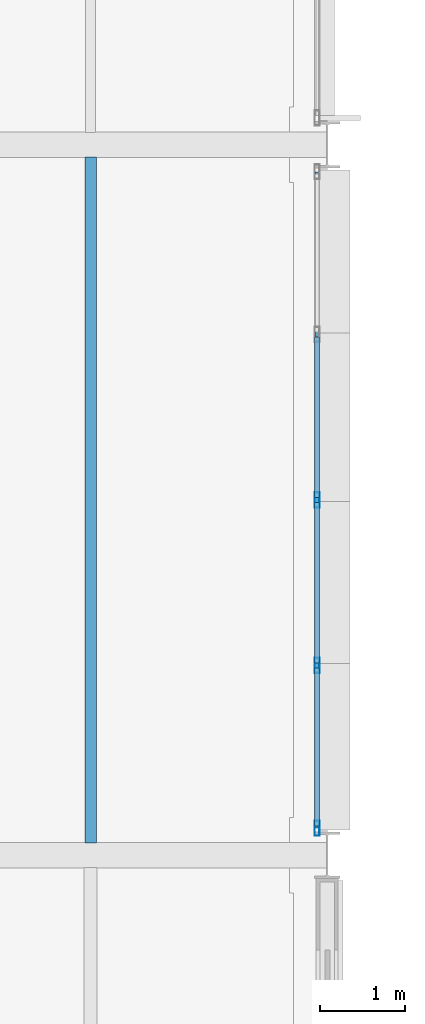
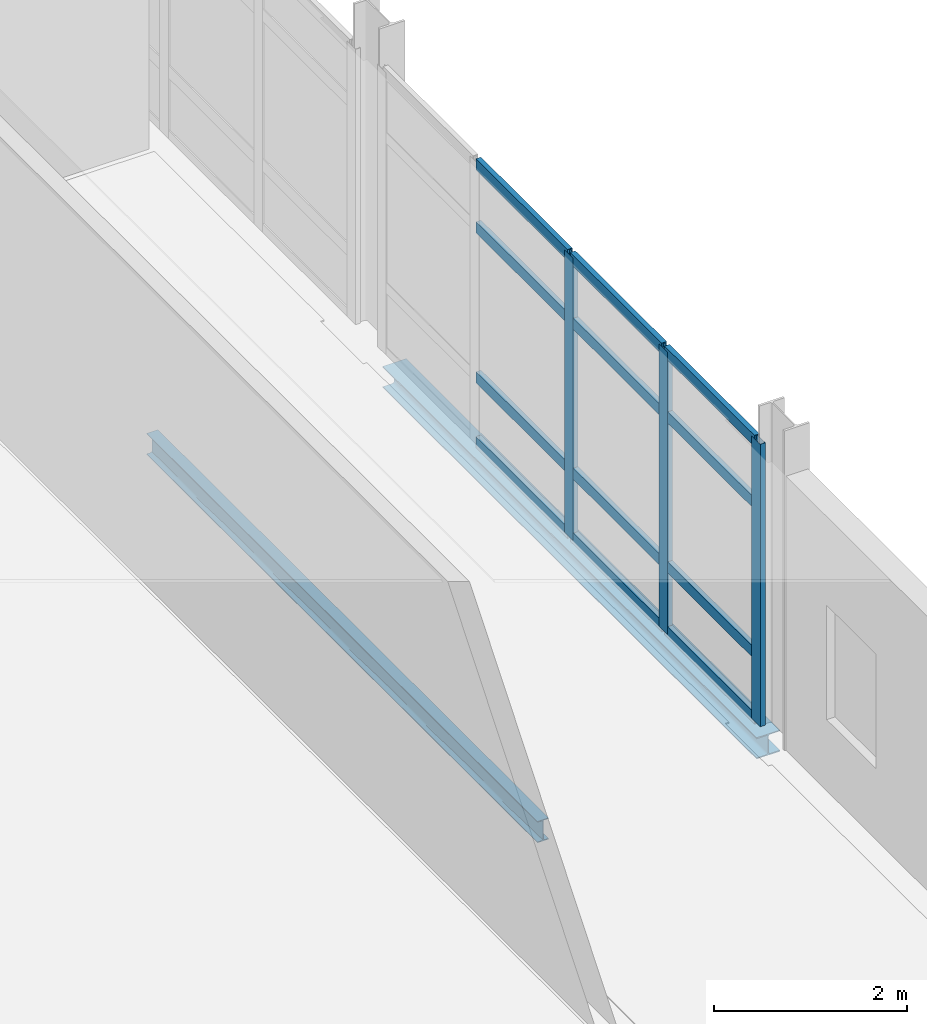
# One storey, part 30 of 151: 15 members, 2 beams, 1 element without a shape of its own.
"""IFC4 building model written with IfcOpenShell, lengths in metres."""

from ifc_helpers import new_model, si_unit, direction, frame, origin, origin_2d, place, context, subcontext, project, spatial, hollow_rectangle, i_section, extrude, material, material_profile, profile_set, type_object, element, aggregate, save


model = new_model("IFC4")

# Units and contexts
model_context = context("Model", 3, precision=1e-05, world=origin(), true_north=direction((0.0, 1.0)))
body_context = subcontext(model_context, "Body", "Model", "MODEL_VIEW")
ifc_project = project(units=[si_unit("LENGTHUNIT", "METRE"), si_unit("AREAUNIT", "SQUARE_METRE"), si_unit("VOLUMEUNIT", "CUBIC_METRE"), si_unit("PLANEANGLEUNIT", "RADIAN"), si_unit("MASSUNIT", "GRAM", prefix="KILO")], contexts=[model_context])

# Site, building, storey
site_placement = place(None, origin())
site = spatial("IfcSite", under=ifc_project, at=site_placement, CompositionType="ELEMENT")
building_placement = place(site_placement, origin())
building = spatial("IfcBuilding", under=site, at=building_placement, Name="Mersafa Astral City Hall", CompositionType="ELEMENT")
storey_placement = place(building_placement, frame((0.0, 0.0, 9.89990234375)))
storey = spatial("IfcBuildingStorey", under=building, at=storey_placement, Name="L02", CompositionType="ELEMENT", Elevation=9.89990234375)

# Curtain wall, members
ifc_material_1 = material(Name="Anodised bronze aluminium framing", Category="aluminium")
curtain_wall_type = type_object("IfcCurtainWallType", Name="ENV-CW-4", PredefinedType="USERDEFINED", material=ifc_material_1)
curtain_wall_placement = place(storey_placement, origin())
curtain_wall = element("IfcCurtainWall", 1, at=curtain_wall_placement, inside=storey, type_object=curtain_wall_type, Name="L02 Unitised solar curtain wall 111", ObjectType="UNITISED CURTAIN WALL", PredefinedType="USERDEFINED")
ifc_material_profile_1 = material_profile(ifc_material_1, hollow_rectangle(XDim=0.06005859375, YDim=0.179931640625, WallThickness=0.00390625, at=origin_2d()), Name="RHS 60x180x4")
ifc_profile_set_1 = profile_set([ifc_material_profile_1], Name="Anodised bronze aluminium framing")
member_type_1 = type_object("IfcMemberType", Name="ENV-CW-MUL-1", PredefinedType="MULLION", material=ifc_profile_set_1)
member_1_placement = place(storey_placement, frame((117.47998046875, 42.31689453125, -0.001953125), z_axis=(0.0, 0.0, 1.0), x_axis=(-1.0, 0.0, 0.0)))
member_1 = element("IfcMember", 2, at=member_1_placement, type_object=member_type_1, Name="CW-4 mullion 1", PredefinedType="MULLION", context=body_context, shape_type="SweptSolid", body=[
    extrude(hollow_rectangle(XDim=0.06005859375, YDim=0.179931640625, WallThickness=0.00390625, at=origin_2d()), origin(), (0.0, 0.0, 1.0), 3.5791015625),
])
member_2_placement = place(storey_placement, frame((117.47998046875, 44.243408203125, -0.001953125), z_axis=(0.0, 0.0, 1.0), x_axis=(-1.0, 0.0, 0.0)))
member_2 = element("IfcMember", 3, at=member_2_placement, type_object=member_type_1, Name="CW-4 mullion 2", PredefinedType="MULLION", context=body_context, shape_type="SweptSolid", body=[
    extrude(hollow_rectangle(XDim=0.06005859375, YDim=0.179931640625, WallThickness=0.00390625, at=origin_2d()), origin(), (0.0, 0.0, 1.0), 3.5791015625),
])
member_3_placement = place(storey_placement, frame((117.47998046875, 46.199951171875, -0.001953125), z_axis=(0.0, 0.0, 1.0), x_axis=(-1.0, 0.0, 0.0)))
member_3 = element("IfcMember", 4, at=member_3_placement, type_object=member_type_1, Name="CW-4 mullion 3", PredefinedType="MULLION", context=body_context, shape_type="SweptSolid", body=[
    extrude(hollow_rectangle(XDim=0.06005859375, YDim=0.179931640625, WallThickness=0.00390625, at=origin_2d()), origin(), (0.0, 0.0, 1.0), 3.5791015625),
])
ifc_material_profile_2 = material_profile(ifc_material_1, hollow_rectangle(XDim=0.06005859375, YDim=0.139892578125, WallThickness=0.00390625, at=origin_2d()), Name="RHS 60x140x4")
ifc_profile_set_2 = profile_set([ifc_material_profile_2], Name="Anodised bronze aluminium framing")
member_type_2 = type_object("IfcMemberType", Name="ENV-CW-TRN-1", PredefinedType="USERDEFINED", material=ifc_profile_set_2)
member_4_placement = place(storey_placement, frame((117.47998046875, 42.346923828125, 0.028076171875), z_axis=(0.0, 1.0, 0.0), x_axis=(-1.0, 0.0, 0.0)))
member_4 = element("IfcMember", 5, at=member_4_placement, type_object=member_type_2, Name="CW-4 transom 1.1", ObjectType="TRANSOM", PredefinedType="USERDEFINED", context=body_context, shape_type="SweptSolid", body=[
    extrude(hollow_rectangle(XDim=0.06005859375, YDim=0.139892578125, WallThickness=0.00390625, at=origin_2d()), origin(), (0.0, 0.0, 1.0), 1.866455078125),
])
member_5_placement = place(storey_placement, frame((117.47998046875, 42.346923828125, 0.85009765625), z_axis=(0.0, 1.0, 0.0), x_axis=(-1.0, 0.0, 0.0)))
member_5 = element("IfcMember", 6, at=member_5_placement, type_object=member_type_2, Name="CW-4 transom 1.2", ObjectType="TRANSOM", PredefinedType="USERDEFINED", context=body_context, shape_type="SweptSolid", body=[
    extrude(hollow_rectangle(XDim=0.06005859375, YDim=0.139892578125, WallThickness=0.00390625, at=origin_2d()), origin(), (0.0, 0.0, 1.0), 1.866455078125),
])
member_6_placement = place(storey_placement, frame((117.47998046875, 42.346923828125, 2.75), z_axis=(0.0, 1.0, 0.0), x_axis=(-1.0, 0.0, 0.0)))
member_6 = element("IfcMember", 7, at=member_6_placement, type_object=member_type_2, Name="CW-4 transom 1.3", ObjectType="TRANSOM", PredefinedType="USERDEFINED", context=body_context, shape_type="SweptSolid", body=[
    extrude(hollow_rectangle(XDim=0.06005859375, YDim=0.139892578125, WallThickness=0.00390625, at=origin_2d()), origin(), (0.0, 0.0, 1.0), 1.866455078125),
])
member_7_placement = place(storey_placement, frame((117.47998046875, 42.346923828125, 3.547119140625), z_axis=(0.0, 1.0, 0.0), x_axis=(-1.0, 0.0, 0.0)))
member_7 = element("IfcMember", 8, at=member_7_placement, type_object=member_type_2, Name="CW-4 transom 1.4", ObjectType="TRANSOM", PredefinedType="USERDEFINED", context=body_context, shape_type="SweptSolid", body=[
    extrude(hollow_rectangle(XDim=0.06005859375, YDim=0.139892578125, WallThickness=0.00390625, at=origin_2d()), origin(), (0.0, 0.0, 1.0), 1.866455078125),
])
member_8_placement = place(storey_placement, frame((117.47998046875, 44.2734375, 0.028076171875), z_axis=(0.0, 1.0, 0.0), x_axis=(-1.0, 0.0, 0.0)))
member_8 = element("IfcMember", 9, at=member_8_placement, type_object=member_type_2, Name="CW-4 transom 2.1", ObjectType="TRANSOM", PredefinedType="USERDEFINED", context=body_context, shape_type="SweptSolid", body=[
    extrude(hollow_rectangle(XDim=0.06005859375, YDim=0.139892578125, WallThickness=0.00390625, at=origin_2d()), origin(), (0.0, 0.0, 1.0), 1.896484375),
])
member_9_placement = place(storey_placement, frame((117.47998046875, 44.2734375, 0.85009765625), z_axis=(0.0, 1.0, 0.0), x_axis=(-1.0, 0.0, 0.0)))
member_9 = element("IfcMember", 10, at=member_9_placement, type_object=member_type_2, Name="CW-4 transom 2.2", ObjectType="TRANSOM", PredefinedType="USERDEFINED", context=body_context, shape_type="SweptSolid", body=[
    extrude(hollow_rectangle(XDim=0.06005859375, YDim=0.139892578125, WallThickness=0.00390625, at=origin_2d()), origin(), (0.0, 0.0, 1.0), 1.896484375),
])
member_10_placement = place(storey_placement, frame((117.47998046875, 44.2734375, 2.75), z_axis=(0.0, 1.0, 0.0), x_axis=(-1.0, 0.0, 0.0)))
member_10 = element("IfcMember", 11, at=member_10_placement, type_object=member_type_2, Name="CW-4 transom 2.3", ObjectType="TRANSOM", PredefinedType="USERDEFINED", context=body_context, shape_type="SweptSolid", body=[
    extrude(hollow_rectangle(XDim=0.06005859375, YDim=0.139892578125, WallThickness=0.00390625, at=origin_2d()), origin(), (0.0, 0.0, 1.0), 1.896484375),
])
member_11_placement = place(storey_placement, frame((117.47998046875, 44.2734375, 3.547119140625), z_axis=(0.0, 1.0, 0.0), x_axis=(-1.0, 0.0, 0.0)))
member_11 = element("IfcMember", 12, at=member_11_placement, type_object=member_type_2, Name="CW-4 transom 2.4", ObjectType="TRANSOM", PredefinedType="USERDEFINED", context=body_context, shape_type="SweptSolid", body=[
    extrude(hollow_rectangle(XDim=0.06005859375, YDim=0.139892578125, WallThickness=0.00390625, at=origin_2d()), origin(), (0.0, 0.0, 1.0), 1.896484375),
])
member_12_placement = place(storey_placement, frame((117.47998046875, 46.22998046875, 0.028076171875), z_axis=(0.0, 1.0, 0.0), x_axis=(-1.0, 0.0, 0.0)))
member_12 = element("IfcMember", 13, at=member_12_placement, type_object=member_type_2, Name="CW-4 transom 3.1", ObjectType="TRANSOM", PredefinedType="USERDEFINED", context=body_context, shape_type="SweptSolid", body=[
    extrude(hollow_rectangle(XDim=0.06005859375, YDim=0.139892578125, WallThickness=0.00390625, at=origin_2d()), origin(), (0.0, 0.0, 1.0), 1.896484375),
])
member_13_placement = place(storey_placement, frame((117.47998046875, 46.22998046875, 0.85009765625), z_axis=(0.0, 1.0, 0.0), x_axis=(-1.0, 0.0, 0.0)))
member_13 = element("IfcMember", 14, at=member_13_placement, type_object=member_type_2, Name="CW-4 transom 3.2", ObjectType="TRANSOM", PredefinedType="USERDEFINED", context=body_context, shape_type="SweptSolid", body=[
    extrude(hollow_rectangle(XDim=0.06005859375, YDim=0.139892578125, WallThickness=0.00390625, at=origin_2d()), origin(), (0.0, 0.0, 1.0), 1.896484375),
])
member_14_placement = place(storey_placement, frame((117.47998046875, 46.22998046875, 2.75), z_axis=(0.0, 1.0, 0.0), x_axis=(-1.0, 0.0, 0.0)))
member_14 = element("IfcMember", 15, at=member_14_placement, type_object=member_type_2, Name="CW-4 transom 3.3", ObjectType="TRANSOM", PredefinedType="USERDEFINED", context=body_context, shape_type="SweptSolid", body=[
    extrude(hollow_rectangle(XDim=0.06005859375, YDim=0.139892578125, WallThickness=0.00390625, at=origin_2d()), origin(), (0.0, 0.0, 1.0), 1.896484375),
])
member_15_placement = place(storey_placement, frame((117.47998046875, 46.22998046875, 3.547119140625), z_axis=(0.0, 1.0, 0.0), x_axis=(-1.0, 0.0, 0.0)))
member_15 = element("IfcMember", 16, at=member_15_placement, type_object=member_type_2, Name="CW-4 transom 3.4", ObjectType="TRANSOM", PredefinedType="USERDEFINED", context=body_context, shape_type="SweptSolid", body=[
    extrude(hollow_rectangle(XDim=0.06005859375, YDim=0.139892578125, WallThickness=0.00390625, at=origin_2d()), origin(), (0.0, 0.0, 1.0), 1.896484375),
])
aggregate(curtain_wall, [member_1, member_2, member_3, member_4, member_5, member_6, member_7, member_8, member_9, member_10, member_11, member_12, member_13, member_14, member_15])

# Beams
ifc_material_2 = material(Name="Steel S355", Category="steel")
ifc_material_profile_3 = material_profile(ifc_material_2, i_section(OverallWidth=0.135009765625, OverallDepth=0.27001953125, WebThickness=0.006591796875, FlangeThickness=0.01025390625, FilletRadius=0.014892578125, at=origin_2d()), Name="IPE 270")
ifc_profile_set_3 = profile_set([ifc_material_profile_3], Name="Steel S355")
beam_type_1 = type_object("IfcBeamType", Name="STR-BM-JOIST-IPE270", PredefinedType="JOIST", material=ifc_profile_set_3)
beam_1_placement = place(storey_placement, frame((114.800048828125, 42.14501953125, -0.3349609375), z_axis=(0.0, 1.0, 0.0), x_axis=(-1.0, 0.0, 0.0)))
element("IfcBeam", 17, at=beam_1_placement, inside=storey, type_object=beam_type_1, Name="L02 Composite secondary floor joist 475", PredefinedType="JOIST", context=body_context, shape_type="SweptSolid", body=[
    extrude(i_section(OverallWidth=0.135009765625, OverallDepth=0.27001953125, WebThickness=0.006591796875, FlangeThickness=0.01025390625, FilletRadius=0.014892578125, at=origin_2d()), origin(), (0.0, 0.0, 1.0), 8.10986328125),
])
ifc_material_profile_4 = material_profile(ifc_material_2, i_section(OverallWidth=0.280029296875, OverallDepth=0.27001953125, WebThickness=0.008056640625, FlangeThickness=0.012939453125, FilletRadius=0.02392578125, at=origin_2d()), Name="HEA 280")
ifc_profile_set_4 = profile_set([ifc_material_profile_4], Name="Steel S355")
beam_type_2 = type_object("IfcBeamType", Name="STR-BM-SPANDREL-HEA280", PredefinedType="SPANDREL", material=ifc_profile_set_4)
beam_2_placement = place(storey_placement, frame((117.60009765625, 42.320068359375, -0.3349609375), z_axis=(0.0, 1.0, 0.0), x_axis=(-1.0, 0.0, 0.0)))
element("IfcBeam", 18, at=beam_2_placement, inside=storey, type_object=beam_type_2, Name="L02 Primary girder Y 14-5", PredefinedType="SPANDREL", context=body_context, shape_type="SweptSolid", body=[
    extrude(i_section(OverallWidth=0.280029296875, OverallDepth=0.27001953125, WebThickness=0.008056640625, FlangeThickness=0.012939453125, FilletRadius=0.02392578125, at=origin_2d()), origin(), (0.0, 0.0, 1.0), 7.760009765625),
])

save(model, "model.ifc")
